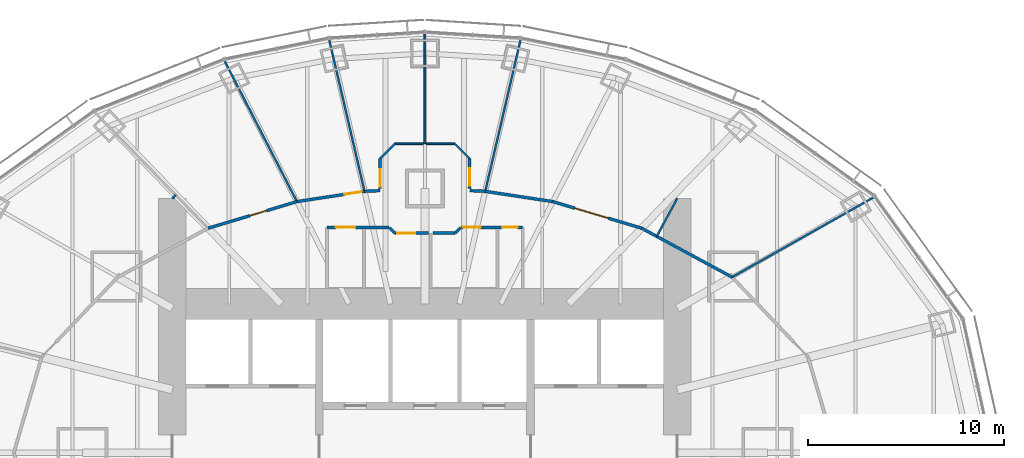
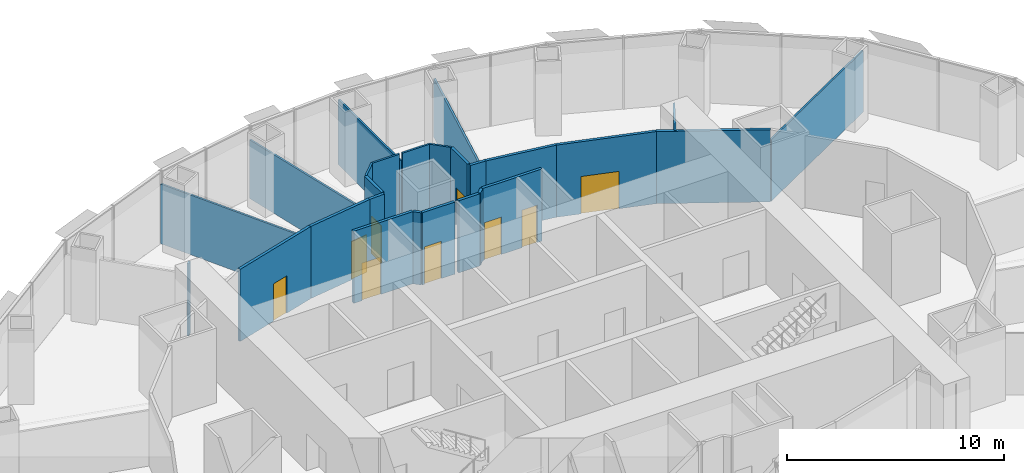
# One storey, part 13 of 18: 26 walls, 9 doors, 9 openings.
"""IFC4 building model written with IfcOpenShell, lengths in metres."""

from ifc_helpers import new_model, si_unit, direction, frame, frame_2d, origin, place, context, subcontext, project, spatial, rectangle, extrude, material, layer, layer_set, type_object, element, fill, save


model = new_model("IFC4")

# Units and contexts
model_context = context("Model", 3, precision=1e-05, world=origin(), true_north=direction((0.0, 1.0)))
body_context = subcontext(model_context, "Body", "Model", "MODEL_VIEW")
ifc_project = project(units=[si_unit("LENGTHUNIT", "METRE"), si_unit("AREAUNIT", "SQUARE_METRE"), si_unit("VOLUMEUNIT", "CUBIC_METRE"), si_unit("PLANEANGLEUNIT", "RADIAN"), si_unit("MASSUNIT", "GRAM", prefix="KILO")], contexts=[model_context])

# Site, building, storey
site_placement = place(None, origin())
site = spatial("IfcSite", under=ifc_project, at=site_placement, CompositionType="ELEMENT")
building_placement = place(site_placement, origin())
building = spatial("IfcBuilding", under=site, at=building_placement, Name="Lantaw Convention Tower", CompositionType="ELEMENT")
storey_placement = place(building_placement, frame((0.0, 0.0, 138.39990234375)))
storey = spatial("IfcBuildingStorey", under=building, at=storey_placement, Name="L32", CompositionType="ELEMENT", Elevation=138.39990234375)

# Wall
ifc_material_1 = material(Name="Gypsum board on steel studs, fire rated", Category="steel")
ifc_layer_1 = layer(ifc_material_1, 0.14990234375)
ifc_layer_set_1 = layer_set([ifc_layer_1], Name="Corridor wall 150 EI 60")
wall_type_1 = type_object("IfcWallType", Name="Corridor wall 150 EI 60", PredefinedType="PARTITIONING", material=ifc_layer_set_1)
wall_1_placement = place(storey_placement, frame((15.695556640625, 8.968994140625, 0.0), z_axis=(0.0, 0.0, 1.0), x_axis=(-0.879436285334, 0.476016617397, 0.0)))
element("IfcWall", 1, at=wall_1_placement, inside=storey, type_object=wall_type_1, Name="Corridor wall 150", PredefinedType="PARTITIONING", context=body_context, shape_type="SweptSolid", body=[
    extrude(rectangle(XDim=5.2529296875, YDim=0.14990234375, at=frame_2d((2.62646484375, 0.0))), origin(), (0.0, 0.0, 1.0), 4.050048828125),
])

# Wall, opening, door
wall_2_placement = place(storey_placement, frame((11.075927734375, 11.469482421875, 0.0), z_axis=(0.0, 0.0, 1.0), x_axis=(-0.957933992798, 0.286988615527, 0.0)))
wall_2 = element("IfcWall", 2, at=wall_2_placement, inside=storey, type_object=wall_type_1, Name="Corridor wall 150", PredefinedType="PARTITIONING", context=body_context, shape_type="SweptSolid", body=[
    extrude(rectangle(XDim=4.73828125, YDim=0.14990234375, at=frame_2d((2.369140625, 0.0))), origin(), (0.0, 0.0, 1.0), 4.050048828125),
])
opening_1_placement = place(wall_2_placement, frame((1.773681640625, 0.0, 0.0)))
opening_1 = element("IfcOpeningElement", 3, at=opening_1_placement, cuts=wall_2, Name="Opening L32.23", PredefinedType="OPENING", context=body_context, shape_type="SweptSolid", body=[
    extrude(rectangle(XDim=1.800048828125, YDim=2.10009765625, at=frame_2d((0.89990234375, 1.050048828125))), frame((0.0, 0.0849609375, 0.0), z_axis=(0.0, -1.0, 0.0), x_axis=(1.0, 0.0, 0.0)), (0.0, 0.0, 1.0), 0.169921875),
])
ifc_material_2 = material(Name="Steel, fire rated", Category="steel")
door_type_1 = type_object("IfcDoorType", Name="Office double door 1800 FD30", OperationType="DOUBLE_DOOR_DOUBLE_SWING", PredefinedType="DOOR", material=ifc_material_2)
door_1_placement = place(opening_1_placement, origin())
door_1 = element("IfcDoor", 4, at=door_1_placement, inside=storey, type_object=door_type_1, Name="Boardroom door", OperationType="DOUBLE_DOOR_DOUBLE_SWING", OverallHeight=2.10009765625, OverallWidth=1.800048828125, PredefinedType="DOOR", context=body_context, shape_type="SweptSolid", body=[
    extrude(rectangle(XDim=1.800048828125, YDim=2.10009765625, at=frame_2d((0.89990234375, 1.050048828125))), frame((0.0, 0.02490234375, 0.0), z_axis=(0.0, -1.0, 0.0), x_axis=(1.0, 0.0, 0.0)), (0.0, 0.0, 1.0), 0.050048828125),
])
fill(opening_1, door_1)

# Wall
wall_3_placement = place(storey_placement, frame((6.536865234375, 12.829345703125, 0.0), z_axis=(0.0, 0.0, 1.0), x_axis=(-0.988668719464, 0.150113833987, 0.0)))
element("IfcWall", 5, at=wall_3_placement, inside=storey, type_object=wall_type_1, Name="Corridor wall 150", PredefinedType="PARTITIONING", context=body_context, shape_type="SweptSolid", body=[
    extrude(rectangle(XDim=3.493408203125, YDim=0.14990234375, at=frame_2d((1.74658203125, 0.0))), origin(), (0.0, 0.0, 1.0), 4.050048828125),
])

# Wall, opening, door
wall_4_placement = place(storey_placement, frame((-3.0830078125, 13.353759765625, 0.0), z_axis=(0.0, 0.0, 1.0), x_axis=(-0.988668719464, -0.150113833987, 0.0)))
wall_4 = element("IfcWall", 6, at=wall_4_placement, inside=storey, type_object=wall_type_1, Name="Corridor wall 150", PredefinedType="PARTITIONING", context=body_context, shape_type="SweptSolid", body=[
    extrude(rectangle(XDim=3.493408203125, YDim=0.14990234375, at=frame_2d((1.74658203125, 0.0))), origin(), (0.0, 0.0, 1.0), 4.050048828125),
])
opening_2_placement = place(wall_4_placement, frame((0.14990234375, 0.0, 0.0)))
opening_2 = element("IfcOpeningElement", 7, at=opening_2_placement, cuts=wall_4, Name="Opening L32.26", PredefinedType="OPENING", context=body_context, shape_type="SweptSolid", body=[
    extrude(rectangle(XDim=0.89990234375, YDim=2.10009765625, at=frame_2d((0.449951171875, 1.050048828125))), frame((0.0, 0.0849609375, 0.0), z_axis=(0.0, -1.0, 0.0), x_axis=(1.0, 0.0, 0.0)), (0.0, 0.0, 1.0), 0.169921875),
])
door_type_2 = type_object("IfcDoorType", Name="Office door 900 FD30", OperationType="SINGLE_SWING_LEFT", PredefinedType="DOOR", material=ifc_material_2)
door_2_placement = place(opening_2_placement, origin())
door_2 = element("IfcDoor", 8, at=door_2_placement, inside=storey, type_object=door_type_2, Name="Private office door", OperationType="SINGLE_SWING_LEFT", OverallHeight=2.10009765625, OverallWidth=0.89990234375, PredefinedType="DOOR", context=body_context, shape_type="SweptSolid", body=[
    extrude(rectangle(XDim=0.89990234375, YDim=2.10009765625, at=frame_2d((0.449951171875, 1.050048828125))), frame((0.0, 0.02490234375, 0.0), z_axis=(0.0, -1.0, 0.0), x_axis=(1.0, 0.0, 0.0)), (0.0, 0.0, 1.0), 0.050048828125),
])
fill(opening_2, door_2)

wall_5_placement = place(storey_placement, frame((-6.536865234375, 12.829345703125, 0.0), z_axis=(0.0, 0.0, 1.0), x_axis=(-0.957933992798, -0.286988615527, 0.0)))
wall_5 = element("IfcWall", 9, at=wall_5_placement, inside=storey, type_object=wall_type_1, Name="Corridor wall 150", PredefinedType="PARTITIONING", context=body_context, shape_type="SweptSolid", body=[
    extrude(rectangle(XDim=4.73828125, YDim=0.14990234375, at=frame_2d((2.369140625, 0.0))), origin(), (0.0, 0.0, 1.0), 4.050048828125),
])
opening_3_placement = place(wall_5_placement, frame((1.60693359375, 0.0, 0.0)))
opening_3 = element("IfcOpeningElement", 10, at=opening_3_placement, cuts=wall_5, Name="Opening L32.27", PredefinedType="OPENING", context=body_context, shape_type="SweptSolid", body=[
    extrude(rectangle(XDim=0.89990234375, YDim=2.10009765625, at=frame_2d((0.449951171875, 1.050048828125))), frame((0.0, 0.0849609375, 0.0), z_axis=(0.0, -1.0, 0.0), x_axis=(1.0, 0.0, 0.0)), (0.0, 0.0, 1.0), 0.169921875),
])
door_3_placement = place(opening_3_placement, origin())
door_3 = element("IfcDoor", 11, at=door_3_placement, inside=storey, type_object=door_type_2, Name="Private office door", OperationType="SINGLE_SWING_LEFT", OverallHeight=2.10009765625, OverallWidth=0.89990234375, PredefinedType="DOOR", context=body_context, shape_type="SweptSolid", body=[
    extrude(rectangle(XDim=0.89990234375, YDim=2.10009765625, at=frame_2d((0.449951171875, 1.050048828125))), frame((0.0, 0.02490234375, 0.0), z_axis=(0.0, -1.0, 0.0), x_axis=(1.0, 0.0, 0.0)), (0.0, 0.0, 1.0), 0.050048828125),
])
fill(opening_3, door_3)

# Walls
for number, where, z_axis, x_axis, name in (
    (12, (3.0830078125, 13.353759765625, 0.0), (0.0, 0.0, 1.0), (-0.998878614804, 0.04734461836, 0.0), "Corridor wall 150"),
    (13, (-2.294921875, 13.39111328125, 0.0), (0.0, 0.0, 1.0), (-0.998878614804, -0.04734461836, 0.0), "Corridor wall 150"),
):
    element("IfcWall", number, at=place(storey_placement, frame(where, z_axis=z_axis, x_axis=x_axis)), inside=storey, type_object=wall_type_1, Name=name, PredefinedType="PARTITIONING", context=body_context, shape_type="SweptSolid", body=[
        extrude(rectangle(XDim=0.7890625, YDim=0.14990234375, at=frame_2d((0.39453125, 0.0))), origin(), (0.0, 0.0, 1.0), 4.050048828125),
    ])

# Wall, opening, door
wall_6_placement = place(storey_placement, frame((2.284912109375, 15.0322265625, 0.0), z_axis=(0.0, 0.0, 1.0), x_axis=(0.0, -1.0, 0.0)))
wall_6 = element("IfcWall", 14, at=wall_6_placement, inside=storey, type_object=wall_type_1, Name="Corridor wall 150", PredefinedType="PARTITIONING", context=body_context, shape_type="SweptSolid", body=[
    extrude(rectangle(XDim=1.53955078125, YDim=0.14990234375, at=frame_2d((0.769775390625, 0.0))), origin(), (0.0, 0.0, 1.0), 4.050048828125),
])
opening_4_placement = place(wall_6_placement, frame((0.5, 0.0, 0.0)))
opening_4 = element("IfcOpeningElement", 15, at=opening_4_placement, cuts=wall_6, Name="Opening L32.24", PredefinedType="OPENING", context=body_context, shape_type="SweptSolid", body=[
    extrude(rectangle(XDim=0.89990234375, YDim=2.10009765625, at=frame_2d((0.449951171875, 1.050048828125))), frame((0.0, 0.0849609375, 0.0), z_axis=(0.0, -1.0, 0.0), x_axis=(1.0, 0.0, 0.0)), (0.0, 0.0, 1.0), 0.169921875),
])
door_4_placement = place(opening_4_placement, origin())
door_4 = element("IfcDoor", 16, at=door_4_placement, inside=storey, type_object=door_type_2, Name="Private office door", OperationType="SINGLE_SWING_LEFT", OverallHeight=2.10009765625, OverallWidth=0.89990234375, PredefinedType="DOOR", context=body_context, shape_type="SweptSolid", body=[
    extrude(rectangle(XDim=0.89990234375, YDim=2.10009765625, at=frame_2d((0.449951171875, 1.050048828125))), frame((0.0, 0.02490234375, 0.0), z_axis=(0.0, -1.0, 0.0), x_axis=(1.0, 0.0, 0.0)), (0.0, 0.0, 1.0), 0.050048828125),
])
fill(opening_4, door_4)

wall_7_placement = place(storey_placement, frame((-2.284912109375, 13.49267578125, 0.0), z_axis=(0.0, 0.0, 1.0), x_axis=(0.0, 1.0, 0.0)))
wall_7 = element("IfcWall", 17, at=wall_7_placement, inside=storey, type_object=wall_type_1, Name="Corridor wall 150", PredefinedType="PARTITIONING", context=body_context, shape_type="SweptSolid", body=[
    extrude(rectangle(XDim=1.53955078125, YDim=0.14990234375, at=frame_2d((0.769775390625, 0.0))), origin(), (0.0, 0.0, 1.0), 4.050048828125),
])
opening_5_placement = place(wall_7_placement, frame((0.10009765625, 0.0, 0.0)))
opening_5 = element("IfcOpeningElement", 18, at=opening_5_placement, cuts=wall_7, Name="Opening L32.25", PredefinedType="OPENING", context=body_context, shape_type="SweptSolid", body=[
    extrude(rectangle(XDim=0.89990234375, YDim=2.10009765625, at=frame_2d((0.449951171875, 1.050048828125))), frame((0.0, 0.0849609375, 0.0), z_axis=(0.0, -1.0, 0.0), x_axis=(1.0, 0.0, 0.0)), (0.0, 0.0, 1.0), 0.169921875),
])
door_5_placement = place(opening_5_placement, origin())
door_5 = element("IfcDoor", 19, at=door_5_placement, inside=storey, type_object=door_type_2, Name="Private office door", OperationType="SINGLE_SWING_LEFT", OverallHeight=2.10009765625, OverallWidth=0.89990234375, PredefinedType="DOOR", context=body_context, shape_type="SweptSolid", body=[
    extrude(rectangle(XDim=0.89990234375, YDim=2.10009765625, at=frame_2d((0.449951171875, 1.050048828125))), frame((0.0, 0.02490234375, 0.0), z_axis=(0.0, -1.0, 0.0), x_axis=(1.0, 0.0, 0.0)), (0.0, 0.0, 1.0), 0.050048828125),
])
fill(opening_5, door_5)

# Walls
ifc_material_3 = material(Name="Gypsum board on steel studs, acoustic", Category="steel")
ifc_layer_2 = layer(ifc_material_3, 0.10009765625)
ifc_layer_set_2 = layer_set([ifc_layer_2], Name="Office partition 100")
wall_type_2 = type_object("IfcWallType", Name="Office partition 100", PredefinedType="PARTITIONING", material=ifc_layer_set_2)
wall_8_placement = place(storey_placement, frame((22.94921875, 13.058837890625, 0.0), z_axis=(0.0, 0.0, 1.0), x_axis=(-0.871079462611, -0.491142107558, 0.0)))
element("IfcWall", 20, at=wall_8_placement, inside=storey, type_object=wall_type_2, Name="Office partition 100", PredefinedType="PARTITIONING", context=body_context, shape_type="SweptSolid", body=[
    extrude(rectangle(XDim=8.3271484375, YDim=0.10009765625, at=frame_2d((4.16357421875, 0.0))), origin(), (0.0, 0.0, 1.0), 3.45068359375),
])
for number, where, z_axis, x_axis, name in (
    (21, (4.89697265625, 21.134765625, 0.0), (0.0, 0.0, 1.0), (-0.227039313577, -0.973885593943, 0.0), "Office partition 100"),
    (22, (-4.89697265625, 21.134765625, 0.0), (0.0, 0.0, 1.0), (0.227039313577, -0.973885593943, 0.0), "Office partition 100"),
):
    element("IfcWall", number, at=place(storey_placement, frame(where, z_axis=z_axis, x_axis=x_axis)), inside=storey, type_object=wall_type_2, Name=name, PredefinedType="PARTITIONING", context=body_context, shape_type="SweptSolid", body=[
        extrude(rectangle(XDim=7.98974609375, YDim=0.10009765625, at=frame_2d((3.994873046875, 0.0))), origin(), (0.0, 0.0, 1.0), 3.293212890625),
    ])
wall_9_placement = place(storey_placement, frame((-10.253173828125, 20.0517578125, 0.0), z_axis=(0.0, 0.0, 1.0), x_axis=(0.457535449567, -0.889191381194, 0.0)))
element("IfcWall", 23, at=wall_9_placement, inside=storey, type_object=wall_type_2, Name="Office partition 100", PredefinedType="PARTITIONING", context=body_context, shape_type="SweptSolid", body=[
    extrude(rectangle(XDim=8.12255859375, YDim=0.10009765625, at=frame_2d((4.061279296875, 0.0))), origin(), (0.0, 0.0, 1.0), 3.34912109375),
])
wall_10_placement = place(storey_placement, frame((12.89990234375, 13.0, 0.0), z_axis=(0.0, 0.0, 1.0), x_axis=(-0.475998959765, -0.879445842734, 0.0)))
element("IfcWall", 24, at=wall_10_placement, inside=storey, type_object=wall_type_2, Name="Office partition 100", PredefinedType="PARTITIONING", context=body_context, shape_type="SweptSolid", body=[
    extrude(rectangle(XDim=2.214111328125, YDim=0.10009765625, at=frame_2d((1.10693359375, 0.0))), origin(), (0.0, 0.0, 1.0), 4.050048828125),
])
wall_11_placement = place(storey_placement, frame((-12.89990234375, 13.0, 0.0), z_axis=(0.0, 0.0, 1.0), x_axis=(0.714845300066, 0.699282630253, 0.0)))
element("IfcWall", 25, at=wall_11_placement, inside=storey, type_object=wall_type_2, Name="Office partition 100", PredefinedType="PARTITIONING", context=body_context, shape_type="SweptSolid", body=[
    extrude(rectangle(XDim=0.2353515625, YDim=0.10009765625, at=frame_2d((0.11767578125, 0.0))), origin(), (0.0, 0.0, 1.0), 4.050048828125),
])
wall_12_placement = place(storey_placement, frame((0.0, 21.44482421875, 0.0), z_axis=(0.0, 0.0, 1.0), x_axis=(0.0, -1.0, 0.0)))
element("IfcWall", 26, at=wall_12_placement, inside=storey, type_object=wall_type_2, Name="Office partition 100", PredefinedType="PARTITIONING", context=body_context, shape_type="SweptSolid", body=[
    extrude(rectangle(XDim=5.64990234375, YDim=0.10009765625, at=frame_2d((2.824951171875, 0.0))), origin(), (0.0, 0.0, 1.0), 3.646240234375),
])
wall_13_placement = place(storey_placement, frame((0.078125, 15.784912109375, 0.0), z_axis=(0.0, 0.0, 1.0), x_axis=(1.0, 0.0, 0.0)))
element("IfcWall", 27, at=wall_13_placement, inside=storey, type_object=wall_type_2, Name="Office partition 100", PredefinedType="PARTITIONING", context=body_context, shape_type="SweptSolid", body=[
    extrude(rectangle(XDim=1.4541015625, YDim=0.10009765625, at=frame_2d((0.72705078125, 0.0))), origin(), (0.0, 0.0, 1.0), 4.050048828125),
])
for number, where, z_axis, x_axis, name in (
    (28, (1.5322265625, 15.784912109375, 0.0), (0.0, 0.0, 1.0), (0.707106781187, -0.707106781187, 0.0), "Office partition 100"),
    (29, (-2.284912109375, 15.0322265625, 0.0), (0.0, 0.0, 1.0), (0.707106781187, 0.707106781187, 0.0), "Office partition 100"),
):
    element("IfcWall", number, at=place(storey_placement, frame(where, z_axis=z_axis, x_axis=x_axis)), inside=storey, type_object=wall_type_2, Name=name, PredefinedType="PARTITIONING", context=body_context, shape_type="SweptSolid", body=[
        extrude(rectangle(XDim=1.064453125, YDim=0.10009765625, at=frame_2d((0.5322265625, 0.0))), origin(), (0.0, 0.0, 1.0), 4.050048828125),
    ])
wall_14_placement = place(storey_placement, frame((-1.5322265625, 15.784912109375, 0.0), z_axis=(0.0, 0.0, 1.0), x_axis=(1.0, 0.0, 0.0)))
element("IfcWall", 30, at=wall_14_placement, inside=storey, type_object=wall_type_2, Name="Office partition 100", PredefinedType="PARTITIONING", context=body_context, shape_type="SweptSolid", body=[
    extrude(rectangle(XDim=1.4541015625, YDim=0.10009765625, at=frame_2d((0.72705078125, 0.0))), origin(), (0.0, 0.0, 1.0), 4.050048828125),
])

# Wall, opening, door
ifc_material_4 = material(Name="Concrete blockwork", Category="masonry")
ifc_layer_3 = layer(ifc_material_4, 0.14990234375)
ifc_layer_set_3 = layer_set([ifc_layer_3], Name="WC wall 150")
wall_type_3 = type_object("IfcWallType", Name="WC wall 150", PredefinedType="SOLIDWALL", material=ifc_layer_set_3)
wall_15_placement = place(storey_placement, frame((-5.0, 11.511962890625, 0.0), z_axis=(0.0, 0.0, 1.0), x_axis=(1.0, 0.0, 0.0)))
wall_15 = element("IfcWall", 31, at=wall_15_placement, inside=storey, type_object=wall_type_3, Name="WC wall 150", PredefinedType="SOLIDWALL", context=body_context, shape_type="SweptSolid", body=[
    extrude(rectangle(XDim=3.156494140625, YDim=0.14990234375, at=frame_2d((1.578125, 0.0))), origin(), (0.0, 0.0, 1.0), 4.050048828125),
])
opening_6_placement = place(wall_15_placement, frame((0.449951171875, 0.0, 0.0)))
opening_6 = element("IfcOpeningElement", 32, at=opening_6_placement, cuts=wall_15, Name="Opening L32.14", PredefinedType="OPENING", context=body_context, shape_type="SweptSolid", body=[
    extrude(rectangle(XDim=1.0, YDim=2.10009765625, at=frame_2d((0.5, 1.050048828125))), frame((0.0, 0.0849609375, 0.0), z_axis=(0.0, -1.0, 0.0), x_axis=(1.0, 0.0, 0.0)), (0.0, 0.0, 1.0), 0.169921875),
])
ifc_material_5 = material(Name="Timber", Category="wood")
door_type_3 = type_object("IfcDoorType", Name="Accessible WC door 1000", OperationType="SINGLE_SWING_LEFT", PredefinedType="DOOR", material=ifc_material_5)
door_6_placement = place(opening_6_placement, origin())
door_6 = element("IfcDoor", 33, at=door_6_placement, inside=storey, type_object=door_type_3, Name="Accessible WC door", OperationType="SINGLE_SWING_LEFT", OverallHeight=2.10009765625, OverallWidth=1.0, PredefinedType="DOOR", context=body_context, shape_type="SweptSolid", body=[
    extrude(rectangle(XDim=1.0, YDim=2.10009765625, at=frame_2d((0.5, 1.050048828125))), frame((0.0, 0.02490234375, 0.0), z_axis=(0.0, -1.0, 0.0), x_axis=(1.0, 0.0, 0.0)), (0.0, 0.0, 1.0), 0.050048828125),
])
fill(opening_6, door_6)

# Wall, openings, doors
wall_16_placement = place(storey_placement, frame((1.843505859375, 11.511962890625, 0.0), z_axis=(0.0, 0.0, 1.0), x_axis=(1.0, 0.0, 0.0)))
wall_16 = element("IfcWall", 34, at=wall_16_placement, inside=storey, type_object=wall_type_3, Name="WC wall 150", PredefinedType="SOLIDWALL", context=body_context, shape_type="SweptSolid", body=[
    extrude(rectangle(XDim=3.156494140625, YDim=0.14990234375, at=frame_2d((1.578125, 0.0))), origin(), (0.0, 0.0, 1.0), 4.050048828125),
])
opening_7_placement = place(wall_16_placement, frame((0.10009765625, 0.0, 0.0)))
opening_7 = element("IfcOpeningElement", 35, at=opening_7_placement, cuts=wall_16, Name="Opening L32.16", PredefinedType="OPENING", context=body_context, shape_type="SweptSolid", body=[
    extrude(rectangle(XDim=0.89990234375, YDim=2.10009765625, at=frame_2d((0.449951171875, 1.050048828125))), frame((0.0, 0.0849609375, 0.0), z_axis=(0.0, -1.0, 0.0), x_axis=(1.0, 0.0, 0.0)), (0.0, 0.0, 1.0), 0.169921875),
])
opening_8_placement = place(wall_16_placement, frame((2.10009765625, 0.0, 0.0)))
opening_8 = element("IfcOpeningElement", 36, at=opening_8_placement, cuts=wall_16, Name="Opening L32.17", PredefinedType="OPENING", context=body_context, shape_type="SweptSolid", body=[
    extrude(rectangle(XDim=0.800048828125, YDim=2.10009765625, at=frame_2d((0.39990234375, 1.050048828125))), frame((0.0, 0.0849609375, 0.0), z_axis=(0.0, -1.0, 0.0), x_axis=(1.0, 0.0, 0.0)), (0.0, 0.0, 1.0), 0.169921875),
])
door_type_4 = type_object("IfcDoorType", Name="WC door 800", OperationType="SINGLE_SWING_LEFT", PredefinedType="DOOR", material=ifc_material_5)
door_7_placement = place(opening_8_placement, origin())
door_7 = element("IfcDoor", 37, at=door_7_placement, inside=storey, type_object=door_type_4, Name="Cleaner's store door", OperationType="SINGLE_SWING_LEFT", OverallHeight=2.10009765625, OverallWidth=0.800048828125, PredefinedType="DOOR", context=body_context, shape_type="SweptSolid", body=[
    extrude(rectangle(XDim=0.800048828125, YDim=2.10009765625, at=frame_2d((0.39990234375, 1.050048828125))), frame((0.0, 0.02490234375, 0.0), z_axis=(0.0, -1.0, 0.0), x_axis=(1.0, 0.0, 0.0)), (0.0, 0.0, 1.0), 0.050048828125),
])
fill(opening_8, door_7)
door_type_5 = type_object("IfcDoorType", Name="WC door 900", OperationType="SINGLE_SWING_LEFT", PredefinedType="DOOR", material=ifc_material_5)
door_8_placement = place(opening_7_placement, origin())
door_8 = element("IfcDoor", 38, at=door_8_placement, inside=storey, type_object=door_type_5, Name="Female WC door", OperationType="SINGLE_SWING_LEFT", OverallHeight=2.10009765625, OverallWidth=0.89990234375, PredefinedType="DOOR", context=body_context, shape_type="SweptSolid", body=[
    extrude(rectangle(XDim=0.89990234375, YDim=2.10009765625, at=frame_2d((0.449951171875, 1.050048828125))), frame((0.0, 0.02490234375, 0.0), z_axis=(0.0, -1.0, 0.0), x_axis=(1.0, 0.0, 0.0)), (0.0, 0.0, 1.0), 0.050048828125),
])
fill(opening_7, door_8)

# Wall, opening, door
wall_17_placement = place(storey_placement, frame((0.19677734375, 11.215087890625, 0.0), z_axis=(0.0, 0.0, 1.0), x_axis=(-1.0, 0.0, 0.0)))
wall_17 = element("IfcWall", 39, at=wall_17_placement, inside=storey, type_object=wall_type_3, Name="WC wall 150", PredefinedType="SOLIDWALL", context=body_context, shape_type="SweptSolid", body=[
    extrude(rectangle(XDim=1.72900390625, YDim=0.14990234375, at=frame_2d((0.864501953125, 0.0))), origin(), (0.0, 0.0, 1.0), 4.050048828125),
])
opening_9_placement = place(wall_17_placement, frame((0.699951171875, 0.0, 0.0)))
opening_9 = element("IfcOpeningElement", 40, at=opening_9_placement, cuts=wall_17, Name="Opening L32.15", PredefinedType="OPENING", context=body_context, shape_type="SweptSolid", body=[
    extrude(rectangle(XDim=0.89990234375, YDim=2.10009765625, at=frame_2d((0.449951171875, 1.050048828125))), frame((0.0, 0.0849609375, 0.0), z_axis=(0.0, -1.0, 0.0), x_axis=(1.0, 0.0, 0.0)), (0.0, 0.0, 1.0), 0.169921875),
])
door_9_placement = place(opening_9_placement, origin())
door_9 = element("IfcDoor", 41, at=door_9_placement, inside=storey, type_object=door_type_5, Name="Male WC door", OperationType="SINGLE_SWING_LEFT", OverallHeight=2.10009765625, OverallWidth=0.89990234375, PredefinedType="DOOR", context=body_context, shape_type="SweptSolid", body=[
    extrude(rectangle(XDim=0.89990234375, YDim=2.10009765625, at=frame_2d((0.449951171875, 1.050048828125))), frame((0.0, 0.02490234375, 0.0), z_axis=(0.0, -1.0, 0.0), x_axis=(1.0, 0.0, 0.0)), (0.0, 0.0, 1.0), 0.050048828125),
])
fill(opening_9, door_9)

# Walls
for number, where, z_axis, x_axis, name in (
    (42, (-1.5322265625, 11.215087890625, 0.0), (0.0, 0.0, 1.0), (-0.707413751745, 0.706799677308, 0.0), "WC wall 150"),
    (43, (1.8134765625, 11.49609375, 0.0), (0.0, 0.0, 1.0), (-0.707413751745, -0.706799677308, 0.0), "WC wall 150"),
):
    element("IfcWall", number, at=place(storey_placement, frame(where, z_axis=z_axis, x_axis=x_axis)), inside=storey, type_object=wall_type_3, Name=name, PredefinedType="SOLIDWALL", context=body_context, shape_type="SweptSolid", body=[
        extrude(rectangle(XDim=0.3974609375, YDim=0.14990234375, at=frame_2d((0.19873046875, 0.0))), origin(), (0.0, 0.0, 1.0), 4.050048828125),
    ])
wall_18_placement = place(storey_placement, frame((1.5322265625, 11.215087890625, 0.0), z_axis=(0.0, 0.0, 1.0), x_axis=(-1.0, 0.0, 0.0)))
element("IfcWall", 44, at=wall_18_placement, inside=storey, type_object=wall_type_3, Name="WC wall 150", PredefinedType="SOLIDWALL", context=body_context, shape_type="SweptSolid", body=[
    extrude(rectangle(XDim=1.12890625, YDim=0.14990234375, at=frame_2d((0.564453125, 0.0))), origin(), (0.0, 0.0, 1.0), 4.050048828125),
])

save(model, "model.ifc")
